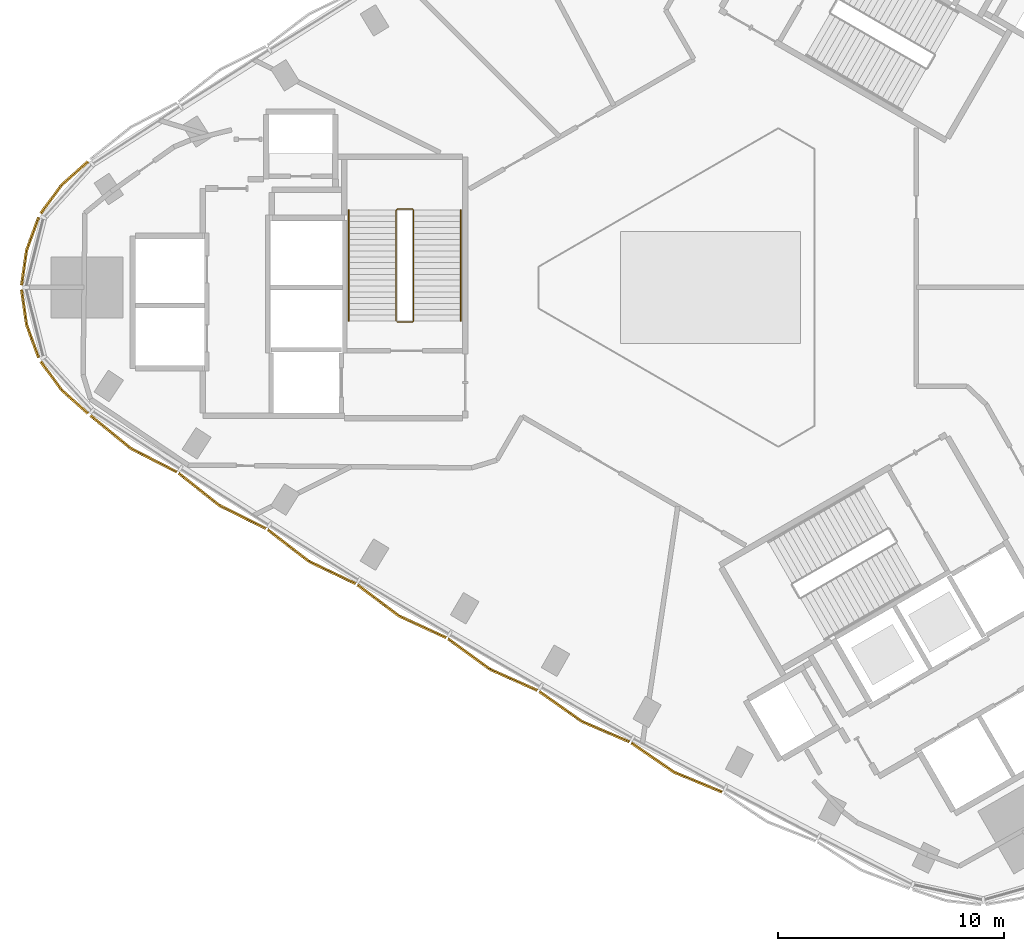
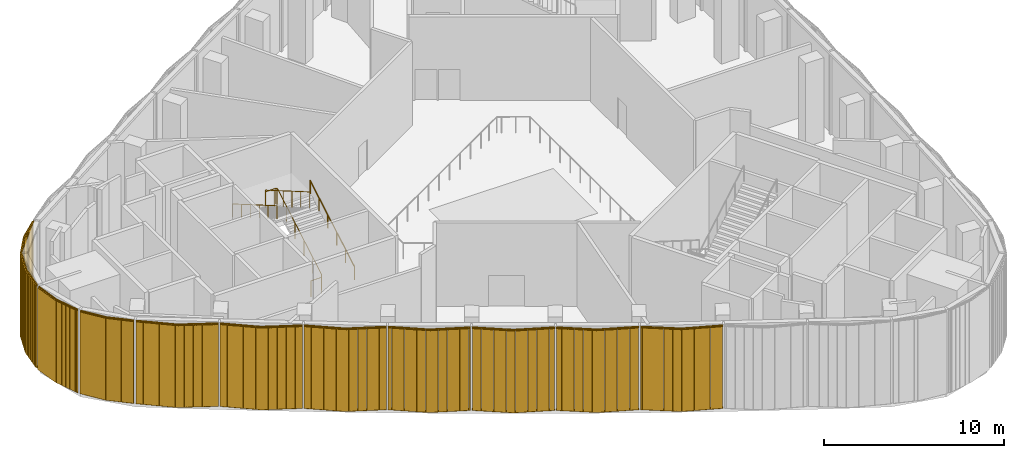
# One storey, part 9 of 14: 11 coverings, 3 railings.
"""IFC4 building model written with IfcOpenShell, lengths in metres."""

from ifc_helpers import new_model, si_unit, direction, frame, frame_2d, origin, origin_2d, place, context, subcontext, project, spatial, rectangle, circle, extrude, source, transform, mapped, material, type_object, element, save


model = new_model("IFC4")

# Units and contexts
model_context = context("Model", 3, precision=1e-05, world=origin(), true_north=direction((0.0, 1.0)))
body_context = subcontext(model_context, "Body", "Model", "MODEL_VIEW")
ifc_project = project(units=[si_unit("LENGTHUNIT", "METRE"), si_unit("AREAUNIT", "SQUARE_METRE"), si_unit("VOLUMEUNIT", "CUBIC_METRE"), si_unit("PLANEANGLEUNIT", "RADIAN"), si_unit("MASSUNIT", "GRAM", prefix="KILO")], contexts=[model_context])

# Site, building, storey
site_placement = place(None, origin())
site = spatial("IfcSite", under=ifc_project, at=site_placement, CompositionType="ELEMENT")
building_placement = place(site_placement, origin())
building = spatial("IfcBuilding", under=site, at=building_placement, Name="Tamra Quay Hotel Tower", CompositionType="ELEMENT")
storey_placement = place(building_placement, frame((0.0, 0.0, 169.60009765625)))
storey = spatial("IfcBuildingStorey", under=building, at=storey_placement, Name="L42", CompositionType="ELEMENT", Elevation=169.60009765625)

# Railings
ifc_material_1 = material(Name="Stair guard 1100")
railing_type_1 = type_object("IfcRailingType", Name="Stair guard 1100", PredefinedType="GUARDRAIL", material=ifc_material_1)
railing_1_placement = place(storey_placement, frame((-13.84130859375, -1.530029296875, 0.0)))
element("IfcRailing", 1, at=railing_1_placement, inside=storey, type_object=railing_type_1, Name="GR", PredefinedType="GUARDRAIL", context=body_context, shape_type="SweptSolid", body=[
    extrude(circle(Radius=0.02392578125, at=origin_2d()), frame((0.0, 0.0, 1.076171875), z_axis=(1.0, 0.0, 0.0), x_axis=(0.0, 1.0, 0.0)), (0.0, 0.0, 1.0), 0.658935546875),
    extrude(circle(Radius=0.02392578125, at=origin_2d()), frame((0.658935546875, 0.0, 1.076171875), z_axis=(0.301912943143, 0.301912943143, 0.904266083366), x_axis=(-0.707106781187, 0.707106781187, 0.0)), (0.0, 0.0, 1.0), 0.165771484375),
    extrude(circle(Radius=0.02392578125, at=origin_2d()), frame((0.708984375, 0.050048828125, 1.22607421875), z_axis=(0.0, 0.864493263396, 0.502644404666), x_axis=(-1.0, 0.0, 0.0)), (0.0, 0.0, 1.0), 5.670166015625),
    extrude(circle(Radius=0.02392578125, at=origin_2d()), frame((0.708984375, 4.951904296875, 4.076171875), z_axis=(-0.707106781187, 0.707106781187, 0.0), x_axis=(-0.707106781187, -0.707106781187, 0.0)), (0.0, 0.0, 1.0), 0.07080078125),
    extrude(circle(Radius=0.02392578125, at=origin_2d()), frame((0.658935546875, 5.001953125, 4.076171875), z_axis=(-1.0, 0.0, 0.0), x_axis=(0.0, -1.0, 0.0)), (0.0, 0.0, 1.0), 0.658935546875),
    extrude(circle(Radius=0.02392578125, at=origin_2d()), frame((0.0, 5.001953125, 4.076171875), z_axis=(-0.301912943143, -0.301912943143, 0.904266083366), x_axis=(0.707106781187, -0.707106781187, 0.0)), (0.0, 0.0, 1.0), 0.165771484375),
    extrude(circle(Radius=0.02392578125, at=origin_2d()), frame((-0.050048828125, 4.951904296875, 4.22607421875), z_axis=(0.0, -0.864493263396, 0.502644404666), x_axis=(1.0, 0.0, 0.0)), (0.0, 0.0, 1.0), 5.670166015625),
    extrude(circle(Radius=0.02099609375, at=origin_2d()), origin(), (0.0, 0.0, 1.0), 1.052001953125),
    extrude(circle(Radius=0.02099609375, at=origin_2d()), frame((0.658935546875, 0.0, 0.0)), (0.0, 0.0, 1.0), 1.052001953125),
    extrude(circle(Radius=0.02099609375, at=origin_2d()), frame((0.708984375, 0.050048828125, 0.14990234375)), (0.0, 0.0, 1.0), 1.052001953125),
    extrude(circle(Radius=0.02099609375, at=origin_2d()), frame((0.708984375, 1.030517578125, 0.719970703125)), (0.0, 0.0, 1.0), 1.052001953125),
    extrude(circle(Radius=0.02099609375, at=origin_2d()), frame((0.708984375, 2.0107421875, 1.2900390625)), (0.0, 0.0, 1.0), 1.052001953125),
    extrude(circle(Radius=0.02099609375, at=origin_2d()), frame((0.708984375, 2.9912109375, 1.85986328125)), (0.0, 0.0, 1.0), 1.052001953125),
    extrude(circle(Radius=0.02099609375, at=origin_2d()), frame((0.708984375, 3.971435546875, 2.429931640625)), (0.0, 0.0, 1.0), 1.052001953125),
    extrude(circle(Radius=0.02099609375, at=origin_2d()), frame((0.708984375, 4.951904296875, 3.0)), (0.0, 0.0, 1.0), 1.052001953125),
    extrude(circle(Radius=0.02099609375, at=origin_2d()), frame((0.658935546875, 5.001953125, 3.0)), (0.0, 0.0, 1.0), 1.052001953125),
    extrude(circle(Radius=0.02099609375, at=origin_2d()), frame((0.0, 5.001953125, 3.0)), (0.0, 0.0, 1.0), 1.052001953125),
    extrude(circle(Radius=0.02099609375, at=origin_2d()), frame((-0.050048828125, 4.951904296875, 3.14990234375)), (0.0, 0.0, 1.0), 1.052001953125),
    extrude(circle(Radius=0.02099609375, at=origin_2d()), frame((-0.050048828125, 3.971435546875, 3.719970703125)), (0.0, 0.0, 1.0), 1.052001953125),
    extrude(circle(Radius=0.02099609375, at=origin_2d()), frame((-0.050048828125, 2.9912109375, 4.2900390625)), (0.0, 0.0, 1.0), 1.052001953125),
    extrude(circle(Radius=0.02099609375, at=origin_2d()), frame((-0.050048828125, 2.0107421875, 4.85986328125)), (0.0, 0.0, 1.0), 1.052001953125),
    extrude(circle(Radius=0.02099609375, at=origin_2d()), frame((-0.050048828125, 1.030517578125, 5.429931640625)), (0.0, 0.0, 1.0), 1.052001953125),
    extrude(circle(Radius=0.02099609375, at=origin_2d()), frame((-0.050048828125, 0.050048828125, 6.0)), (0.0, 0.0, 1.0), 1.052001953125),
])
ifc_material_2 = material(Name="Stair handrail 900")
railing_type_2 = type_object("IfcRailingType", Name="Stair handrail 900", PredefinedType="HANDRAIL", material=ifc_material_2)
railing_2_placement = place(storey_placement, frame((-11.0322265625, -1.47998046875, 0.14990234375)))
element("IfcRailing", 2, at=railing_2_placement, inside=storey, type_object=railing_type_2, Name="HR", PredefinedType="HANDRAIL", context=body_context, shape_type="SweptSolid", body=[
    extrude(circle(Radius=0.02392578125, at=origin_2d()), frame((0.0, 0.0, 0.8759765625), z_axis=(0.0, 0.864493263396, 0.502644404666), x_axis=(-1.0, 0.0, 0.0)), (0.0, 0.0, 1.0), 5.670166015625),
    extrude(circle(Radius=0.02099609375, at=origin_2d()), origin(), (0.0, 0.0, 1.0), 0.851806640625),
    extrude(circle(Radius=0.02099609375, at=origin_2d()), frame((0.0, 0.98046875, 0.570068359375)), (0.0, 0.0, 1.0), 0.851806640625),
    extrude(circle(Radius=0.02099609375, at=origin_2d()), frame((0.0, 1.960693359375, 1.14013671875)), (0.0, 0.0, 1.0), 0.851806640625),
    extrude(circle(Radius=0.02099609375, at=origin_2d()), frame((0.0, 2.941162109375, 1.7099609375)), (0.0, 0.0, 1.0), 0.851806640625),
    extrude(circle(Radius=0.02099609375, at=origin_2d()), frame((0.0, 3.92138671875, 2.280029296875)), (0.0, 0.0, 1.0), 0.851806640625),
    extrude(circle(Radius=0.02099609375, at=origin_2d()), frame((0.0, 4.90185546875, 2.85009765625)), (0.0, 0.0, 1.0), 0.851806640625),
])
railing_3_placement = place(storey_placement, frame((-15.9912109375, 3.421875, 3.14990234375)))
element("IfcRailing", 3, at=railing_3_placement, inside=storey, type_object=railing_type_2, Name="HR", PredefinedType="HANDRAIL", context=body_context, shape_type="SweptSolid", body=[
    extrude(circle(Radius=0.02392578125, at=origin_2d()), frame((0.0, 0.0, 0.8759765625), z_axis=(0.0, -0.864493263396, 0.502644404666), x_axis=(1.0, 0.0, 0.0)), (0.0, 0.0, 1.0), 5.670166015625),
    extrude(circle(Radius=0.02099609375, at=origin_2d()), origin(), (0.0, 0.0, 1.0), 0.851806640625),
    extrude(circle(Radius=0.02099609375, at=origin_2d()), frame((0.0, -0.98046875, 0.570068359375)), (0.0, 0.0, 1.0), 0.851806640625),
    extrude(circle(Radius=0.02099609375, at=origin_2d()), frame((0.0, -1.960693359375, 1.14013671875)), (0.0, 0.0, 1.0), 0.851806640625),
    extrude(circle(Radius=0.02099609375, at=origin_2d()), frame((0.0, -2.941162109375, 1.7099609375)), (0.0, 0.0, 1.0), 0.851806640625),
    extrude(circle(Radius=0.02099609375, at=origin_2d()), frame((0.0, -3.92138671875, 2.280029296875)), (0.0, 0.0, 1.0), 0.851806640625),
    extrude(circle(Radius=0.02099609375, at=origin_2d()), frame((0.0, -4.90185546875, 2.85009765625)), (0.0, 0.0, 1.0), 0.851806640625),
])

# Coverings
ifc_material_3 = material(Name="Terracotta baguette extruded", Category="masonry")
covering_type_1 = type_object("IfcCoveringType", Name="BAGUETTE SCREEN CORNER-SHALLOW H5650", PredefinedType="USERDEFINED", material=ifc_material_3)
shared_shape_1 = source(origin(), body_context, "Body", "SweptSolid", [
    extrude(rectangle(XDim=1.56103515625, YDim=0.06005859375, at=frame_2d((0.780517578125, 0.030029296875))), frame((-1.558837890625, -0.0576171875, -0.1201171875), z_axis=(0.0, 0.0, 1.0), x_axis=(0.994521895368, -0.104528463268, 0.0)), (0.0, 0.0, 1.0), 0.1201171875),
    extrude(rectangle(XDim=1.56103515625, YDim=0.06005859375, at=frame_2d((0.780517578125, 0.030029296875))), frame((-1.558837890625, -0.0576171875, -5.64990234375), z_axis=(0.0, 0.0, 1.0), x_axis=(0.994521895368, -0.104528463268, 0.0)), (0.0, 0.0, 1.0), 0.1201171875),
    extrude(rectangle(XDim=0.094970703125, YDim=0.10009765625, at=frame_2d((0.04736328125, 0.050048828125))), frame((-1.551513671875, -0.133056640625, -5.590087890625)), (0.0, 0.0, 1.0), 5.530029296875),
    extrude(rectangle(XDim=0.094970703125, YDim=0.10009765625, at=frame_2d((0.04736328125, 0.050048828125))), frame((-1.454345703125, -0.143310546875, -5.590087890625)), (0.0, 0.0, 1.0), 5.530029296875),
    extrude(rectangle(XDim=0.094970703125, YDim=0.10009765625, at=frame_2d((0.04736328125, 0.050048828125))), frame((-1.357421875, -0.153564453125, -5.590087890625)), (0.0, 0.0, 1.0), 5.530029296875),
    extrude(rectangle(XDim=0.094970703125, YDim=0.10009765625, at=frame_2d((0.04736328125, 0.050048828125))), frame((-1.260498046875, -0.16357421875, -5.590087890625)), (0.0, 0.0, 1.0), 5.530029296875),
    extrude(rectangle(XDim=0.094970703125, YDim=0.10009765625, at=frame_2d((0.04736328125, 0.050048828125))), frame((-1.163330078125, -0.173828125, -5.590087890625)), (0.0, 0.0, 1.0), 5.530029296875),
    extrude(rectangle(XDim=0.094970703125, YDim=0.10009765625, at=frame_2d((0.04736328125, 0.050048828125))), frame((-1.06640625, -0.18408203125, -5.590087890625)), (0.0, 0.0, 1.0), 5.530029296875),
    extrude(rectangle(XDim=0.094970703125, YDim=0.10009765625, at=frame_2d((0.04736328125, 0.050048828125))), frame((-0.96923828125, -0.1943359375, -5.590087890625)), (0.0, 0.0, 1.0), 5.530029296875),
    extrude(rectangle(XDim=0.094970703125, YDim=0.10009765625, at=frame_2d((0.04736328125, 0.050048828125))), frame((-0.872314453125, -0.20458984375, -5.590087890625)), (0.0, 0.0, 1.0), 5.530029296875),
    extrude(rectangle(XDim=0.094970703125, YDim=0.10009765625, at=frame_2d((0.04736328125, 0.050048828125))), frame((-0.775146484375, -0.214599609375, -5.590087890625)), (0.0, 0.0, 1.0), 5.530029296875),
    extrude(rectangle(XDim=0.094970703125, YDim=0.10009765625, at=frame_2d((0.04736328125, 0.050048828125))), frame((-0.67822265625, -0.224853515625, -5.590087890625)), (0.0, 0.0, 1.0), 5.530029296875),
    extrude(rectangle(XDim=0.094970703125, YDim=0.10009765625, at=frame_2d((0.04736328125, 0.050048828125))), frame((-0.5810546875, -0.235107421875, -5.590087890625)), (0.0, 0.0, 1.0), 5.530029296875),
    extrude(rectangle(XDim=0.094970703125, YDim=0.10009765625, at=frame_2d((0.04736328125, 0.050048828125))), frame((-0.484130859375, -0.245361328125, -5.590087890625)), (0.0, 0.0, 1.0), 5.530029296875),
    extrude(rectangle(XDim=0.094970703125, YDim=0.10009765625, at=frame_2d((0.04736328125, 0.050048828125))), frame((-0.38720703125, -0.25537109375, -5.590087890625)), (0.0, 0.0, 1.0), 5.530029296875),
    extrude(rectangle(XDim=0.094970703125, YDim=0.10009765625, at=frame_2d((0.04736328125, 0.050048828125))), frame((-0.2900390625, -0.265625, -5.590087890625)), (0.0, 0.0, 1.0), 5.530029296875),
    extrude(rectangle(XDim=0.094970703125, YDim=0.10009765625, at=frame_2d((0.04736328125, 0.050048828125))), frame((-0.193115234375, -0.27587890625, -5.590087890625)), (0.0, 0.0, 1.0), 5.530029296875),
    extrude(rectangle(XDim=0.094970703125, YDim=0.10009765625, at=frame_2d((0.04736328125, 0.050048828125))), frame((-0.095947265625, -0.2861328125, -5.590087890625)), (0.0, 0.0, 1.0), 5.530029296875),
    extrude(rectangle(XDim=1.56103515625, YDim=0.06005859375, at=frame_2d((0.780517578125, 0.030029296875))), frame((0.00634765625, -0.220947265625, -0.1201171875), z_axis=(0.0, 0.0, 1.0), x_axis=(0.994521895368, 0.104528463268, 0.0)), (0.0, 0.0, 1.0), 0.1201171875),
    extrude(rectangle(XDim=1.56103515625, YDim=0.06005859375, at=frame_2d((0.780517578125, 0.030029296875))), frame((0.00634765625, -0.220947265625, -5.64990234375), z_axis=(0.0, 0.0, 1.0), x_axis=(0.994521895368, 0.104528463268, 0.0)), (0.0, 0.0, 1.0), 0.1201171875),
    extrude(rectangle(XDim=0.094970703125, YDim=0.10009765625, at=frame_2d((0.04736328125, 0.050048828125))), frame((0.0009765625, -0.2861328125, -5.590087890625)), (0.0, 0.0, 1.0), 5.530029296875),
    extrude(rectangle(XDim=0.094970703125, YDim=0.10009765625, at=frame_2d((0.04736328125, 0.050048828125))), frame((0.09814453125, -0.27587890625, -5.590087890625)), (0.0, 0.0, 1.0), 5.530029296875),
    extrude(rectangle(XDim=0.094970703125, YDim=0.10009765625, at=frame_2d((0.04736328125, 0.050048828125))), frame((0.195068359375, -0.265625, -5.590087890625)), (0.0, 0.0, 1.0), 5.530029296875),
    extrude(rectangle(XDim=0.094970703125, YDim=0.10009765625, at=frame_2d((0.04736328125, 0.050048828125))), frame((0.2919921875, -0.25537109375, -5.590087890625)), (0.0, 0.0, 1.0), 5.530029296875),
    extrude(rectangle(XDim=0.094970703125, YDim=0.10009765625, at=frame_2d((0.04736328125, 0.050048828125))), frame((0.38916015625, -0.245361328125, -5.590087890625)), (0.0, 0.0, 1.0), 5.530029296875),
    extrude(rectangle(XDim=0.094970703125, YDim=0.10009765625, at=frame_2d((0.04736328125, 0.050048828125))), frame((0.486083984375, -0.235107421875, -5.590087890625)), (0.0, 0.0, 1.0), 5.530029296875),
    extrude(rectangle(XDim=0.094970703125, YDim=0.10009765625, at=frame_2d((0.04736328125, 0.050048828125))), frame((0.583251953125, -0.224853515625, -5.590087890625)), (0.0, 0.0, 1.0), 5.530029296875),
    extrude(rectangle(XDim=0.094970703125, YDim=0.10009765625, at=frame_2d((0.04736328125, 0.050048828125))), frame((0.68017578125, -0.214599609375, -5.590087890625)), (0.0, 0.0, 1.0), 5.530029296875),
    extrude(rectangle(XDim=0.094970703125, YDim=0.10009765625, at=frame_2d((0.04736328125, 0.050048828125))), frame((0.77734375, -0.20458984375, -5.590087890625)), (0.0, 0.0, 1.0), 5.530029296875),
    extrude(rectangle(XDim=0.094970703125, YDim=0.10009765625, at=frame_2d((0.04736328125, 0.050048828125))), frame((0.874267578125, -0.1943359375, -5.590087890625)), (0.0, 0.0, 1.0), 5.530029296875),
    extrude(rectangle(XDim=0.094970703125, YDim=0.10009765625, at=frame_2d((0.04736328125, 0.050048828125))), frame((0.971435546875, -0.18408203125, -5.590087890625)), (0.0, 0.0, 1.0), 5.530029296875),
    extrude(rectangle(XDim=0.094970703125, YDim=0.10009765625, at=frame_2d((0.04736328125, 0.050048828125))), frame((1.068359375, -0.173828125, -5.590087890625)), (0.0, 0.0, 1.0), 5.530029296875),
    extrude(rectangle(XDim=0.094970703125, YDim=0.10009765625, at=frame_2d((0.04736328125, 0.050048828125))), frame((1.165283203125, -0.16357421875, -5.590087890625)), (0.0, 0.0, 1.0), 5.530029296875),
    extrude(rectangle(XDim=0.094970703125, YDim=0.10009765625, at=frame_2d((0.04736328125, 0.050048828125))), frame((1.262451171875, -0.153564453125, -5.590087890625)), (0.0, 0.0, 1.0), 5.530029296875),
    extrude(rectangle(XDim=0.094970703125, YDim=0.10009765625, at=frame_2d((0.04736328125, 0.050048828125))), frame((1.359375, -0.143310546875, -5.590087890625)), (0.0, 0.0, 1.0), 5.530029296875),
    extrude(rectangle(XDim=0.094970703125, YDim=0.10009765625, at=frame_2d((0.04736328125, 0.050048828125))), frame((1.45654296875, -0.133056640625, -5.590087890625)), (0.0, 0.0, 1.0), 5.530029296875),
])
for number, where, z_axis, x_axis, name in (
    (4, (-28.513916015625, 4.3779296875, 5.64990234375), (0.0, 0.0, 1.0), (-0.673495681519, -0.739191157262, 0.0), "Baguette screen L42.NW.c09"),
    (5, (-30.01318359375, 1.5849609375, 5.64990234375), (0.0, 0.0, 1.0), (-0.243826260198, -0.969818928892, 0.0), "Baguette screen L42.NW.c10"),
    (6, (-30.01318359375, -1.5849609375, 5.64990234375), (0.0, 0.0, 1.0), (0.243826260198, -0.969818928892, 0.0), "Baguette screen L42.NW.c11"),
    (7, (-28.513916015625, -4.3779296875, 5.64990234375), (0.0, 0.0, 1.0), (0.673495681519, -0.739191157262, 0.0), "Baguette screen L42.NW.c12"),
):
    element("IfcCovering", number, at=place(storey_placement, frame(where, z_axis=z_axis, x_axis=x_axis)), inside=storey, type_object=covering_type_1, Name=name, ObjectType="BAGUETTE SCREEN", PredefinedType="USERDEFINED", context=body_context, shape_type="MappedRepresentation", body=[
        mapped(shared_shape_1, transform((0.0, 0.0, 0.0), scale=1.0)),
    ])
covering_type_2 = type_object("IfcCoveringType", Name="BAGUETTE SCREEN SW-SHALLOW H5650", PredefinedType="USERDEFINED", material=ifc_material_3)
shared_shape_2 = source(origin(), body_context, "Body", "SweptSolid", [
    extrude(rectangle(XDim=2.295166015625, YDim=0.06005859375, at=frame_2d((1.1474609375, 0.030029296875))), frame((-2.288818359375, -0.0576171875, -0.1201171875), z_axis=(0.0, 0.0, 1.0), x_axis=(0.994521895368, -0.104528463268, 0.0)), (0.0, 0.0, 1.0), 0.1201171875),
    extrude(rectangle(XDim=2.295166015625, YDim=0.06005859375, at=frame_2d((1.1474609375, 0.030029296875))), frame((-2.288818359375, -0.0576171875, -5.64990234375), z_axis=(0.0, 0.0, 1.0), x_axis=(0.994521895368, -0.104528463268, 0.0)), (0.0, 0.0, 1.0), 0.1201171875),
    extrude(rectangle(XDim=0.094970703125, YDim=0.10009765625, at=frame_2d((0.04736328125, 0.050048828125))), frame((-2.2802734375, -0.13330078125, -5.590087890625)), (0.0, 0.0, 1.0), 5.530029296875),
    extrude(rectangle(XDim=0.094970703125, YDim=0.10009765625, at=frame_2d((0.04736328125, 0.050048828125))), frame((-2.18115234375, -0.1435546875, -5.590087890625)), (0.0, 0.0, 1.0), 5.530029296875),
    extrude(rectangle(XDim=0.094970703125, YDim=0.10009765625, at=frame_2d((0.04736328125, 0.050048828125))), frame((-2.081787109375, -0.154052734375, -5.590087890625)), (0.0, 0.0, 1.0), 5.530029296875),
    extrude(rectangle(XDim=0.094970703125, YDim=0.10009765625, at=frame_2d((0.04736328125, 0.050048828125))), frame((-1.982666015625, -0.16455078125, -5.590087890625)), (0.0, 0.0, 1.0), 5.530029296875),
    extrude(rectangle(XDim=0.094970703125, YDim=0.10009765625, at=frame_2d((0.04736328125, 0.050048828125))), frame((-1.88330078125, -0.175048828125, -5.590087890625)), (0.0, 0.0, 1.0), 5.530029296875),
    extrude(rectangle(XDim=0.094970703125, YDim=0.10009765625, at=frame_2d((0.04736328125, 0.050048828125))), frame((-1.7841796875, -0.185302734375, -5.590087890625)), (0.0, 0.0, 1.0), 5.530029296875),
    extrude(rectangle(XDim=0.094970703125, YDim=0.10009765625, at=frame_2d((0.04736328125, 0.050048828125))), frame((-1.68505859375, -0.19580078125, -5.590087890625)), (0.0, 0.0, 1.0), 5.530029296875),
    extrude(rectangle(XDim=0.094970703125, YDim=0.10009765625, at=frame_2d((0.04736328125, 0.050048828125))), frame((-1.585693359375, -0.206298828125, -5.590087890625)), (0.0, 0.0, 1.0), 5.530029296875),
    extrude(rectangle(XDim=0.094970703125, YDim=0.10009765625, at=frame_2d((0.04736328125, 0.050048828125))), frame((-1.486572265625, -0.216552734375, -5.590087890625)), (0.0, 0.0, 1.0), 5.530029296875),
    extrude(rectangle(XDim=0.094970703125, YDim=0.10009765625, at=frame_2d((0.04736328125, 0.050048828125))), frame((-1.38720703125, -0.22705078125, -5.590087890625)), (0.0, 0.0, 1.0), 5.530029296875),
    extrude(rectangle(XDim=0.094970703125, YDim=0.10009765625, at=frame_2d((0.04736328125, 0.050048828125))), frame((-1.2880859375, -0.237548828125, -5.590087890625)), (0.0, 0.0, 1.0), 5.530029296875),
    extrude(rectangle(XDim=0.094970703125, YDim=0.10009765625, at=frame_2d((0.04736328125, 0.050048828125))), frame((-1.188720703125, -0.248046875, -5.590087890625)), (0.0, 0.0, 1.0), 5.530029296875),
    extrude(rectangle(XDim=0.094970703125, YDim=0.10009765625, at=frame_2d((0.04736328125, 0.050048828125))), frame((-1.089599609375, -0.25830078125, -5.590087890625)), (0.0, 0.0, 1.0), 5.530029296875),
    extrude(rectangle(XDim=0.094970703125, YDim=0.10009765625, at=frame_2d((0.04736328125, 0.050048828125))), frame((-0.990234375, -0.268798828125, -5.590087890625)), (0.0, 0.0, 1.0), 5.530029296875),
    extrude(rectangle(XDim=0.094970703125, YDim=0.10009765625, at=frame_2d((0.04736328125, 0.050048828125))), frame((-0.89111328125, -0.279296875, -5.590087890625)), (0.0, 0.0, 1.0), 5.530029296875),
    extrude(rectangle(XDim=0.094970703125, YDim=0.10009765625, at=frame_2d((0.04736328125, 0.050048828125))), frame((-0.791748046875, -0.28955078125, -5.590087890625)), (0.0, 0.0, 1.0), 5.530029296875),
    extrude(rectangle(XDim=0.094970703125, YDim=0.10009765625, at=frame_2d((0.04736328125, 0.050048828125))), frame((-0.692626953125, -0.300048828125, -5.590087890625)), (0.0, 0.0, 1.0), 5.530029296875),
    extrude(rectangle(XDim=0.094970703125, YDim=0.10009765625, at=frame_2d((0.04736328125, 0.050048828125))), frame((-0.59326171875, -0.310546875, -5.590087890625)), (0.0, 0.0, 1.0), 5.530029296875),
    extrude(rectangle(XDim=0.094970703125, YDim=0.10009765625, at=frame_2d((0.04736328125, 0.050048828125))), frame((-0.494140625, -0.321044921875, -5.590087890625)), (0.0, 0.0, 1.0), 5.530029296875),
    extrude(rectangle(XDim=0.094970703125, YDim=0.10009765625, at=frame_2d((0.04736328125, 0.050048828125))), frame((-0.394775390625, -0.331298828125, -5.590087890625)), (0.0, 0.0, 1.0), 5.530029296875),
    extrude(rectangle(XDim=0.094970703125, YDim=0.10009765625, at=frame_2d((0.04736328125, 0.050048828125))), frame((-0.295654296875, -0.341796875, -5.590087890625)), (0.0, 0.0, 1.0), 5.530029296875),
    extrude(rectangle(XDim=0.094970703125, YDim=0.10009765625, at=frame_2d((0.04736328125, 0.050048828125))), frame((-0.1962890625, -0.352294921875, -5.590087890625)), (0.0, 0.0, 1.0), 5.530029296875),
    extrude(rectangle(XDim=0.094970703125, YDim=0.10009765625, at=frame_2d((0.04736328125, 0.050048828125))), frame((-0.09716796875, -0.36279296875, -5.590087890625)), (0.0, 0.0, 1.0), 5.530029296875),
    extrude(rectangle(XDim=2.295166015625, YDim=0.06005859375, at=frame_2d((1.1474609375, 0.030029296875))), frame((0.00634765625, -0.297607421875, -0.1201171875), z_axis=(0.0, 0.0, 1.0), x_axis=(0.994521895368, 0.104528463268, 0.0)), (0.0, 0.0, 1.0), 0.1201171875),
    extrude(rectangle(XDim=2.295166015625, YDim=0.06005859375, at=frame_2d((1.1474609375, 0.030029296875))), frame((0.00634765625, -0.297607421875, -5.64990234375), z_axis=(0.0, 0.0, 1.0), x_axis=(0.994521895368, 0.104528463268, 0.0)), (0.0, 0.0, 1.0), 0.1201171875),
    extrude(rectangle(XDim=0.094970703125, YDim=0.10009765625, at=frame_2d((0.04736328125, 0.050048828125))), frame((0.002197265625, -0.36279296875, -5.590087890625)), (0.0, 0.0, 1.0), 5.530029296875),
    extrude(rectangle(XDim=0.094970703125, YDim=0.10009765625, at=frame_2d((0.04736328125, 0.050048828125))), frame((0.101318359375, -0.352294921875, -5.590087890625)), (0.0, 0.0, 1.0), 5.530029296875),
    extrude(rectangle(XDim=0.094970703125, YDim=0.10009765625, at=frame_2d((0.04736328125, 0.050048828125))), frame((0.20068359375, -0.341796875, -5.590087890625)), (0.0, 0.0, 1.0), 5.530029296875),
    extrude(rectangle(XDim=0.094970703125, YDim=0.10009765625, at=frame_2d((0.04736328125, 0.050048828125))), frame((0.2998046875, -0.331298828125, -5.590087890625)), (0.0, 0.0, 1.0), 5.530029296875),
    extrude(rectangle(XDim=0.094970703125, YDim=0.10009765625, at=frame_2d((0.04736328125, 0.050048828125))), frame((0.399169921875, -0.321044921875, -5.590087890625)), (0.0, 0.0, 1.0), 5.530029296875),
    extrude(rectangle(XDim=0.094970703125, YDim=0.10009765625, at=frame_2d((0.04736328125, 0.050048828125))), frame((0.498291015625, -0.310546875, -5.590087890625)), (0.0, 0.0, 1.0), 5.530029296875),
    extrude(rectangle(XDim=0.094970703125, YDim=0.10009765625, at=frame_2d((0.04736328125, 0.050048828125))), frame((0.59765625, -0.300048828125, -5.590087890625)), (0.0, 0.0, 1.0), 5.530029296875),
    extrude(rectangle(XDim=0.094970703125, YDim=0.10009765625, at=frame_2d((0.04736328125, 0.050048828125))), frame((0.69677734375, -0.28955078125, -5.590087890625)), (0.0, 0.0, 1.0), 5.530029296875),
    extrude(rectangle(XDim=0.094970703125, YDim=0.10009765625, at=frame_2d((0.04736328125, 0.050048828125))), frame((0.796142578125, -0.279296875, -5.590087890625)), (0.0, 0.0, 1.0), 5.530029296875),
    extrude(rectangle(XDim=0.094970703125, YDim=0.10009765625, at=frame_2d((0.04736328125, 0.050048828125))), frame((0.895263671875, -0.268798828125, -5.590087890625)), (0.0, 0.0, 1.0), 5.530029296875),
    extrude(rectangle(XDim=0.094970703125, YDim=0.10009765625, at=frame_2d((0.04736328125, 0.050048828125))), frame((0.99462890625, -0.25830078125, -5.590087890625)), (0.0, 0.0, 1.0), 5.530029296875),
    extrude(rectangle(XDim=0.094970703125, YDim=0.10009765625, at=frame_2d((0.04736328125, 0.050048828125))), frame((1.09375, -0.248046875, -5.590087890625)), (0.0, 0.0, 1.0), 5.530029296875),
    extrude(rectangle(XDim=0.094970703125, YDim=0.10009765625, at=frame_2d((0.04736328125, 0.050048828125))), frame((1.19287109375, -0.237548828125, -5.590087890625)), (0.0, 0.0, 1.0), 5.530029296875),
    extrude(rectangle(XDim=0.094970703125, YDim=0.10009765625, at=frame_2d((0.04736328125, 0.050048828125))), frame((1.292236328125, -0.22705078125, -5.590087890625)), (0.0, 0.0, 1.0), 5.530029296875),
    extrude(rectangle(XDim=0.094970703125, YDim=0.10009765625, at=frame_2d((0.04736328125, 0.050048828125))), frame((1.391357421875, -0.216552734375, -5.590087890625)), (0.0, 0.0, 1.0), 5.530029296875),
    extrude(rectangle(XDim=0.094970703125, YDim=0.10009765625, at=frame_2d((0.04736328125, 0.050048828125))), frame((1.49072265625, -0.206298828125, -5.590087890625)), (0.0, 0.0, 1.0), 5.530029296875),
    extrude(rectangle(XDim=0.094970703125, YDim=0.10009765625, at=frame_2d((0.04736328125, 0.050048828125))), frame((1.58984375, -0.19580078125, -5.590087890625)), (0.0, 0.0, 1.0), 5.530029296875),
    extrude(rectangle(XDim=0.094970703125, YDim=0.10009765625, at=frame_2d((0.04736328125, 0.050048828125))), frame((1.689208984375, -0.185302734375, -5.590087890625)), (0.0, 0.0, 1.0), 5.530029296875),
    extrude(rectangle(XDim=0.094970703125, YDim=0.10009765625, at=frame_2d((0.04736328125, 0.050048828125))), frame((1.788330078125, -0.175048828125, -5.590087890625)), (0.0, 0.0, 1.0), 5.530029296875),
    extrude(rectangle(XDim=0.094970703125, YDim=0.10009765625, at=frame_2d((0.04736328125, 0.050048828125))), frame((1.8876953125, -0.16455078125, -5.590087890625)), (0.0, 0.0, 1.0), 5.530029296875),
    extrude(rectangle(XDim=0.094970703125, YDim=0.10009765625, at=frame_2d((0.04736328125, 0.050048828125))), frame((1.98681640625, -0.154052734375, -5.590087890625)), (0.0, 0.0, 1.0), 5.530029296875),
    extrude(rectangle(XDim=0.094970703125, YDim=0.10009765625, at=frame_2d((0.04736328125, 0.050048828125))), frame((2.086181640625, -0.1435546875, -5.590087890625)), (0.0, 0.0, 1.0), 5.530029296875),
    extrude(rectangle(XDim=0.094970703125, YDim=0.10009765625, at=frame_2d((0.04736328125, 0.050048828125))), frame((2.185302734375, -0.13330078125, -5.590087890625)), (0.0, 0.0, 1.0), 5.530029296875),
])
for number, where, z_axis, x_axis, name in (
    (8, (-25.46142578125, -6.8564453125, 5.64990234375), (0.0, 0.0, 1.0), (0.836985967842, -0.547224350369, 0.0), "Baguette screen L42.SW.f00"),
    (9, (-21.54541015625, -9.37841796875, 5.64990234375), (0.0, 0.0, 1.0), (0.844475692628, -0.53559388025, 0.0), "Baguette screen L42.SW.f01"),
    (10, (-17.594970703125, -11.845703125, 5.64990234375), (0.0, 0.0, 1.0), (0.851814939532, -0.523842828328, 0.0), "Baguette screen L42.SW.f02"),
    (11, (-13.610595703125, -14.258056640625, 5.64990234375), (0.0, 0.0, 1.0), (0.858998990153, -0.511977279688, 0.0), "Baguette screen L42.SW.f03"),
    (12, (-9.5927734375, -16.615234375, 5.64990234375), (0.0, 0.0, 1.0), (0.866025403784, -0.5, 0.0), "Baguette screen L42.SW.f04"),
    (13, (-5.542724609375, -18.916015625, 5.64990234375), (0.0, 0.0, 1.0), (0.872884825446, -0.487926307454, 0.0), "Baguette screen L42.SW.f05"),
    (14, (-1.46142578125, -21.160400390625, 5.64990234375), (0.0, 0.0, 1.0), (0.879568666688, -0.475771962794, 0.0), "Baguette screen L42.SW.f06"),
):
    element("IfcCovering", number, at=place(storey_placement, frame(where, z_axis=z_axis, x_axis=x_axis)), inside=storey, type_object=covering_type_2, Name=name, ObjectType="BAGUETTE SCREEN", PredefinedType="USERDEFINED", context=body_context, shape_type="MappedRepresentation", body=[
        mapped(shared_shape_2, transform((0.0, 0.0, 0.0), scale=1.0)),
    ])

save(model, "model.ifc")
